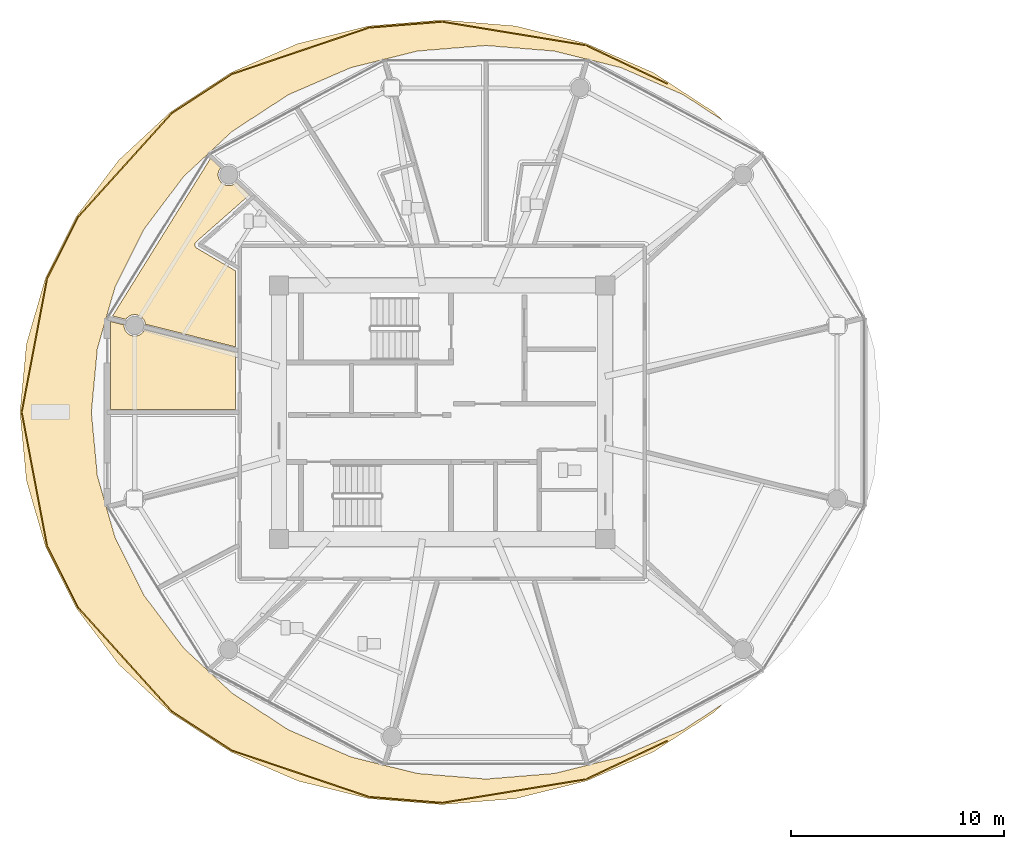
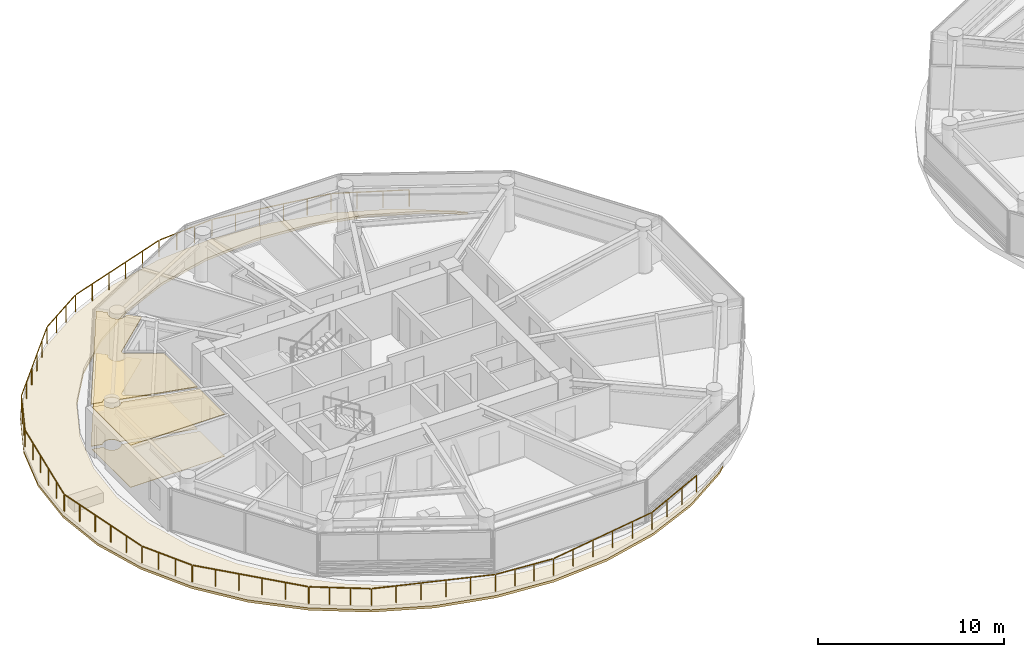
# One storey, part 23 of 32: 5 coverings, 1 railing.
"""IFC4 building model written with IfcOpenShell, lengths in metres."""

import ifcopenshell
import ifcopenshell.guid

model = None  # the IFC model being written
_history = None  # IfcOwnerHistory: only IFC2X3 demands one
_inside = {}  # id of a spatial element -> (the spatial element, [elements in it])
_under = {}  # id of a project, library or spatial element -> (it, [spatial elements below it])
_declared = {}  # id of a project -> (the project, [libraries it declares])
_typed = {}  # id of a type object -> (the type object, [elements of that type])
_made_of = {}  # id of a material, layer set ... -> (it, [elements and type objects made of it])


def new_model(schema):
    """Start an empty IFC model of exactly this schema.

    Asked for "IFC4X3", IfcOpenShell would pick the latest addendum, in which some entities
    have other attributes; the version numbers below select the first issue.
    IFC2X3 requires an IfcOwnerHistory on every rooted entity: one is made here for all.
    """
    global model, _history
    if schema == "IFC4X3":
        model = ifcopenshell.file(schema_version=(4, 3, 0, 0))
    else:
        model = ifcopenshell.file(schema=schema)
    _inside.clear()
    _under.clear()
    _declared.clear()
    _typed.clear()
    _made_of.clear()
    _history = None
    if model.schema == "IFC2X3":
        org = make("IfcOrganization", Name="unknown")
        user = make(
            "IfcPersonAndOrganization",
            ThePerson=make("IfcPerson", FamilyName="unknown"),
            TheOrganization=org,
        )
        app = make(
            "IfcApplication",
            ApplicationDeveloper=org,
            Version="unknown",
            ApplicationFullName="unknown",
            ApplicationIdentifier="unknown",
        )
        _history = make(
            "IfcOwnerHistory",
            OwningUser=user,
            OwningApplication=app,
            ChangeAction="ADDED",
            CreationDate=0,
        )
    return model


def make(cls, **values):
    """One entity of the class cls with the attributes given. An attribute that is None is left unset."""
    return model.create_entity(
        cls, **{name: value for name, value in values.items() if value is not None}
    )


def rooted(cls, **values):
    """An entity with a GlobalId (a new one), such as an element, a storey or a relation."""
    return make(cls, GlobalId=ifcopenshell.guid.new(), OwnerHistory=_history, **values)


def si_unit(unit_type, name, prefix=None):
    """IfcSIUnit, for example si_unit("LENGTHUNIT", "METRE", prefix="MILLI")."""
    return make("IfcSIUnit", UnitType=unit_type, Prefix=prefix, Name=name)


def assignment(units):
    """IfcUnitAssignment: the units of a project."""
    return None if units is None else make("IfcUnitAssignment", Units=units)


def point(xyz):
    """IfcCartesianPoint."""
    return None if xyz is None else make("IfcCartesianPoint", Coordinates=xyz)


def direction(xyz):
    """IfcDirection."""
    return None if xyz is None else make("IfcDirection", DirectionRatios=xyz)


def frame(location, z_axis=None, x_axis=None):
    """IfcAxis2Placement3D, a coordinate frame: its origin and axes. An axis left out is left unset."""
    return make(
        "IfcAxis2Placement3D",
        Location=point(location),
        Axis=direction(z_axis),
        RefDirection=direction(x_axis),
    )


def frame_2d(location, x_axis=None):
    """IfcAxis2Placement2D, a coordinate frame in the plane: its origin and x axis."""
    return make(
        "IfcAxis2Placement2D", Location=point(location), RefDirection=direction(x_axis)
    )


def origin():
    """The frame at (0, 0, 0) with its axes left unset."""
    return frame((0.0, 0.0, 0.0))


def origin_2d():
    """The frame at (0, 0) in the plane with its x axis left unset."""
    return frame_2d((0.0, 0.0))


def place(relative_to, where):
    """IfcLocalPlacement: puts the frame where relative to a parent placement (None: the world)."""
    return make(
        "IfcLocalPlacement", PlacementRelTo=relative_to, RelativePlacement=where
    )


def context(
    kind, dimensions, precision=None, world=None, true_north=None, identifier=None
):
    """IfcGeometricRepresentationContext, for example the 3D "Model" context."""
    return make(
        "IfcGeometricRepresentationContext",
        ContextIdentifier=identifier,
        ContextType=kind,
        CoordinateSpaceDimension=dimensions,
        Precision=precision,
        WorldCoordinateSystem=world,
        TrueNorth=true_north,
    )


def subcontext(parent, identifier, kind, view, scale=None):
    """IfcGeometricRepresentationSubContext, for example "Body" below "Model"."""
    return make(
        "IfcGeometricRepresentationSubContext",
        ContextIdentifier=identifier,
        ContextType=kind,
        ParentContext=parent,
        TargetScale=scale,
        TargetView=view,
    )


def project(units=None, contexts=None):
    """IfcProject with its units and contexts."""
    return rooted(
        "IfcProject",
        Name="project",
        RepresentationContexts=contexts,
        UnitsInContext=assignment(units),
    )


def spatial(cls, under=None, at=None, **own):
    """A site, building, storey or space (cls), placed at a placement, below another one or the project."""
    s = rooted(cls, ObjectPlacement=at, **own)
    if under is not None:
        _under.setdefault(under.id(), (under, []))[1].append(s)
    return s


def polyline(points):
    """IfcPolyline through the points."""
    return make("IfcPolyline", Points=[point(p) for p in points])


def profile(cls, at=None, kind="AREA", **sizes):
    """A parametric profile (cls). Its sizes go by their IFC names, for example OverallWidth=200.0."""
    return make(cls, ProfileType=kind, Position=at, **sizes)


def rectangle(**sizes):
    """IfcRectangleProfileDef."""
    return profile("IfcRectangleProfileDef", **sizes)


def outline(outer, holes=None, kind="AREA"):
    """IfcArbitraryClosedProfileDef: a profile drawn as a closed curve; with holes, ...WithVoids."""
    if holes is None:
        return make("IfcArbitraryClosedProfileDef", ProfileType=kind, OuterCurve=outer)
    return make(
        "IfcArbitraryProfileDefWithVoids",
        ProfileType=kind,
        OuterCurve=outer,
        InnerCurves=holes,
    )


def extrude(swept, where, along, depth):
    """IfcExtrudedAreaSolid: the profile swept, set in the frame where, extruded along a direction by depth."""
    return make(
        "IfcExtrudedAreaSolid",
        SweptArea=swept,
        Position=where,
        ExtrudedDirection=direction(along),
        Depth=depth,
    )


def shape(context_of_items, identifier, shape_type, items):
    """IfcShapeRepresentation: the items that make up one representation, for example the "Body"."""
    return make(
        "IfcShapeRepresentation",
        ContextOfItems=context_of_items,
        RepresentationIdentifier=identifier,
        RepresentationType=shape_type,
        Items=items,
    )


def material(Name=None, Category=None):
    """IfcMaterial."""
    return make("IfcMaterial", Name=Name, Category=Category)


def layer(
    of_material, thickness, ventilated=None, Name=None, Category=None, Priority=None
):
    """IfcMaterialLayer: one layer of a wall or slab, of a material (None: an air gap)."""
    return make(
        "IfcMaterialLayer",
        Material=of_material,
        LayerThickness=thickness,
        IsVentilated=ventilated,
        Name=Name,
        Category=Category,
        Priority=Priority,
    )


def layer_set(layers, Name=None):
    """IfcMaterialLayerSet."""
    return make("IfcMaterialLayerSet", MaterialLayers=layers, LayerSetName=Name)


def made_of(thing, what):
    """Note that an element or type object is made of a material, layer set ...; save() writes the relation."""
    if what is not None:
        _made_of.setdefault(what.id(), (what, []))[1].append(thing)
    return thing


def type_object(cls, material=None, **own):
    """A type object (cls), such as IfcWallType, which elements share."""
    return made_of(rooted(cls, **own), material)


def element(
    cls,
    number,
    at=None,
    inside=None,
    cuts=None,
    type_object=None,
    material=None,
    context=None,
    identifier="Body",
    shape_type=None,
    held_by="IfcProductDefinitionShape",
    body=None,
    shapes=None,
    **own,
):
    """One element of the class cls, such as IfcWall. Its Tag is "e" and its number.

    at: its placement. inside: the storey or other place that contains it. cuts: it is an
    opening in that element (IfcRelVoidsElement). A single representation is given by context,
    identifier, shape_type and body (its items); several are given by shapes. held_by: the class
    of the entity that holds the representations. save() writes the other relations.
    """
    e = rooted(cls, Tag="e%d" % number, ObjectPlacement=at, **own)
    if body is not None:
        shapes = [shape(context, identifier, shape_type, body)]
    if shapes is not None:
        e.Representation = make(held_by, Representations=shapes)
    if inside is not None:
        _inside.setdefault(inside.id(), (inside, []))[1].append(e)
    if cuts is not None:
        rooted(
            "IfcRelVoidsElement", RelatingBuildingElement=cuts, RelatedOpeningElement=e
        )
    if type_object is not None:
        _typed.setdefault(type_object.id(), (type_object, []))[1].append(e)
    return made_of(e, material)


def aggregate(whole, parts):
    """IfcRelAggregates: a whole, such as a stair, and the parts it consists of."""
    return rooted("IfcRelAggregates", RelatingObject=whole, RelatedObjects=parts)


def save(model, path):
    """Write the relations noted so far, then the file.

    IfcRelAggregates (storeys below a building ...), IfcRelContainedInSpatialStructure (elements
    in a storey), IfcRelDefinesByType, IfcRelAssociatesMaterial and IfcRelDeclares: one each for
    every whole, place, type object, material and project.
    """
    for whole, parts in _under.values():
        aggregate(whole, parts)
    for where, things in _inside.values():
        rooted(
            "IfcRelContainedInSpatialStructure",
            RelatedElements=things,
            RelatingStructure=where,
        )
    for kind, things in _typed.values():
        rooted("IfcRelDefinesByType", RelatedObjects=things, RelatingType=kind)
    for what, things in _made_of.values():
        rooted("IfcRelAssociatesMaterial", RelatedObjects=things, RelatingMaterial=what)
    for by, libraries in _declared.values():
        rooted("IfcRelDeclares", RelatingContext=by, RelatedDefinitions=libraries)
    model.write(path)


model = new_model("IFC4")

# Units and contexts
model_context = context("Model", 3, precision=1e-05, world=origin(), true_north=direction((0.0, 1.0)))
body_context = subcontext(model_context, "Body", "Model", "MODEL_VIEW")
ifc_project = project(units=[si_unit("LENGTHUNIT", "METRE"), si_unit("AREAUNIT", "SQUARE_METRE"), si_unit("VOLUMEUNIT", "CUBIC_METRE"), si_unit("PLANEANGLEUNIT", "RADIAN"), si_unit("MASSUNIT", "GRAM", prefix="KILO")], contexts=[model_context])

# Site, building, storey
site_placement = place(None, origin())
site = spatial("IfcSite", under=ifc_project, at=site_placement, CompositionType="ELEMENT")
building_placement = place(site_placement, origin())
building = spatial("IfcBuilding", under=site, at=building_placement, Name="Norrkilde Senior Care Towers", CompositionType="ELEMENT")
storey_placement = place(building_placement, frame((0.0, 0.0, 77.949951171875)))
storey = spatial("IfcBuildingStorey", under=building, at=storey_placement, Name="L23", CompositionType="ELEMENT", Elevation=77.949951171875)

# Coverings
ifc_material_1 = material(Name="Nordic Ash Timber", Category="wood")
ifc_layer_1 = layer(ifc_material_1, 0.044921875)
ifc_layer_set_1 = layer_set([ifc_layer_1], Name="Nordic Ash Timber")
covering_type_1 = type_object("IfcCoveringType", Name="Acoustic Ash Timber Slatted Ceiling 45", PredefinedType="CEILING", material=ifc_layer_set_1)
covering_1_placement = place(storey_placement, frame((0.0, 0.0, 2.7451171875)))
element("IfcCovering", 1, at=covering_1_placement, inside=storey, type_object=covering_type_1, Name="L23 Suspended Ceiling 0221", PredefinedType="CEILING", context=body_context, shape_type="SweptSolid", body=[
    extrude(outline(polyline([(-39.56005859375, 7.966796875), (-39.56396484375, 7.961181640625), (-39.5703125, 7.950927734375), (-39.573486328125, 7.94482421875), (-39.57861328125, 7.93408203125), (-39.58154296875, 7.927734375), (-39.58544921875, 7.91650390625), (-39.587646484375, 7.909912109375), (-39.590576171875, 7.8984375), (-39.592041015625, 7.8916015625), (-39.59375, 7.879638671875), (-39.594482421875, 7.872802734375), (-39.59521484375, 7.86083984375), (-39.59521484375, 7.853759765625), (-39.594482421875, 7.842041015625), (-39.593994140625, 7.8349609375), (-39.59228515625, 7.8232421875), (-39.5908203125, 7.81640625), (-39.587890625, 7.8046875), (-39.5859375, 7.798095703125), (-39.581787109375, 7.786865234375), (-39.5791015625, 7.780517578125), (-39.573974609375, 7.769775390625), (-39.57080078125, 7.763671875), (-39.564453125, 7.75341796875), (-39.560546875, 7.74755859375), (-39.553466796875, 7.738037109375), (-39.549072265625, 7.732666015625), (-39.541015625, 7.723876953125), (-39.535888671875, 7.718994140625), (-39.527099609375, 7.711181640625), (-39.521728515625, 7.706787109375), (-39.511962890625, 7.69970703125), (-39.506103515625, 7.69580078125), (-39.5009765625, 7.69287109375), (-37.699951171875, 6.64111328125), (-37.699951171875, 3.07080078125), (-41.921142578125, 4.129638671875), (-41.93115234375, 4.20703125), (-41.981689453125, 4.328857421875), (-42.06201171875, 4.43359375), (-42.16650390625, 4.513671875), (-42.288330078125, 4.564208984375), (-42.4189453125, 4.581298828125), (-42.5498046875, 4.564208984375), (-42.671630859375, 4.513671875), (-42.776123046875, 4.43359375), (-42.833740234375, 4.358642578125), (-43.45849609375, 4.515380859375), (-38.858154296875, 11.918701171875), (-38.38037109375, 11.4716796875), (-38.443603515625, 11.389404296875), (-38.493896484375, 11.267578125), (-38.51123046875, 11.136962890625), (-38.493896484375, 11.00634765625), (-38.443603515625, 10.884521484375), (-38.36328125, 10.77978515625), (-38.2587890625, 10.69970703125), (-38.136962890625, 10.649169921875), (-38.006103515625, 10.6318359375), (-37.87548828125, 10.649169921875), (-37.753662109375, 10.69970703125), (-37.649169921875, 10.77978515625), (-37.64599609375, 10.783935546875), (-37.02734375, 10.205078125), (-39.53076171875, 7.99951171875), (-39.53515625, 7.995361328125), (-39.540283203125, 7.990478515625), (-39.54833984375, 7.981689453125), (-39.552734375, 7.976318359375), (-39.56005859375, 7.966796875)])), origin(), (0.0, 0.0, 1.0), 0.044921875),
])
ifc_material_2 = material(Name="EPDM Waterproofing and PIR Insulation")
ifc_layer_2 = layer(ifc_material_2, 0.159912109375)
ifc_layer_set_2 = layer_set([ifc_layer_2], Name="EPDM Waterproofing and PIR Insulation")
covering_type_2 = type_object("IfcCoveringType", Name="Insulated EPDM Roof Membrane 160", PredefinedType="ROOFING", material=ifc_layer_set_2)
covering_2_placement = place(storey_placement, frame((0.0, 0.0, -0.389892578125)))
element("IfcCovering", 2, at=covering_2_placement, inside=storey, type_object=covering_type_2, Name="L23 Drum W Crescent Terrace Roof Membrane", PredefinedType="ROOFING", context=body_context, shape_type="SweptSolid", body=[
    extrude(outline(polyline([(-15.272705078125, -14.09521484375), (-18.10009765625, -15.934814453125), (-21.22802734375, -17.290283203125), (-24.561767578125, -18.120361328125), (-28.0, -18.39990234375), (-31.438232421875, -18.120361328125), (-34.77197265625, -17.290283203125), (-37.89990234375, -15.934814453125), (-40.727294921875, -14.09521484375), (-43.167724609375, -11.827392578125), (-45.147216796875, -9.199951171875), (-46.60595703125, -6.293212890625), (-47.499267578125, -3.195068359375), (-47.800048828125, 0.0), (-47.499267578125, 3.195068359375), (-46.60595703125, 6.293212890625), (-45.147216796875, 9.199951171875), (-43.167724609375, 11.827392578125), (-40.727294921875, 14.09521484375), (-37.89990234375, 15.934814453125), (-34.77197265625, 17.290283203125), (-31.438232421875, 18.120361328125), (-28.0, 18.39990234375), (-24.561767578125, 18.120361328125), (-21.22802734375, 17.290283203125), (-18.10009765625, 15.934814453125), (-15.272705078125, 14.09521484375), (-14.831787109375, 13.685302734375), (-16.697265625, 14.89990234375), (-16.69775390625, 14.900146484375), (-16.697998046875, 14.900146484375), (-19.62060546875, 16.167236328125), (-19.62109375, 16.16748046875), (-19.621337890625, 16.16748046875), (-22.736328125, 16.943603515625), (-22.73681640625, 16.943603515625), (-22.737060546875, 16.943603515625), (-25.94970703125, 17.205078125), (-25.949951171875, 17.205078125), (-25.950439453125, 17.205078125), (-29.162841796875, 16.943603515625), (-29.163330078125, 16.943603515625), (-29.163818359375, 16.943603515625), (-32.278564453125, 16.16748046875), (-32.279052734375, 16.16748046875), (-32.279296875, 16.167236328125), (-35.201904296875, 14.900146484375), (-35.202392578125, 14.900146484375), (-35.20263671875, 14.89990234375), (-37.84423828125, 13.18017578125), (-37.8447265625, 13.179931640625), (-37.844970703125, 13.1796875), (-40.125244140625, 11.0595703125), (-40.12548828125, 11.059326171875), (-40.125732421875, 11.058837890625), (-41.9755859375, 8.60302734375), (-41.975830078125, 8.6025390625), (-41.975830078125, 8.602294921875), (-43.3388671875, 5.885009765625), (-43.3388671875, 5.884521484375), (-43.339111328125, 5.884033203125), (-44.173828125, 2.988037109375), (-44.173828125, 2.98779296875), (-44.173828125, 2.9873046875), (-44.455078125, 0.00048828125), (-44.455078125, 0.0), (-44.455078125, -0.00048828125), (-44.173828125, -2.9873046875), (-44.173828125, -2.98779296875), (-44.173828125, -2.988037109375), (-43.339111328125, -5.884033203125), (-43.3388671875, -5.884521484375), (-43.3388671875, -5.885009765625), (-41.975830078125, -8.602294921875), (-41.975830078125, -8.6025390625), (-41.9755859375, -8.60302734375), (-40.125732421875, -11.058837890625), (-40.12548828125, -11.059326171875), (-40.125244140625, -11.0595703125), (-37.844970703125, -13.1796875), (-37.8447265625, -13.179931640625), (-37.84423828125, -13.18017578125), (-35.20263671875, -14.89990234375), (-35.202392578125, -14.900146484375), (-35.201904296875, -14.900146484375), (-32.279296875, -16.167236328125), (-32.279052734375, -16.16748046875), (-32.278564453125, -16.16748046875), (-29.163818359375, -16.943603515625), (-29.163330078125, -16.943603515625), (-29.162841796875, -16.943603515625), (-25.950439453125, -17.205078125), (-25.949951171875, -17.205078125), (-25.94970703125, -17.205078125), (-22.737060546875, -16.943603515625), (-22.73681640625, -16.943603515625), (-22.736328125, -16.943603515625), (-19.621337890625, -16.16748046875), (-19.62109375, -16.16748046875), (-19.62060546875, -16.167236328125), (-16.697998046875, -14.900146484375), (-16.69775390625, -14.900146484375), (-16.697265625, -14.89990234375), (-14.831787109375, -13.685302734375), (-15.272705078125, -14.09521484375)])), origin(), (0.0, 0.0, 1.0), 0.159912109375),
])
ifc_material_3 = material(Name="Gypsum Acoustic Board")
ifc_layer_3 = layer(ifc_material_3, 0.030029296875)
ifc_layer_set_3 = layer_set([ifc_layer_3], Name="Gypsum Acoustic Board")
covering_type_3 = type_object("IfcCoveringType", Name="Medical Cleanable Gypsum Ceiling 30", PredefinedType="CEILING", material=ifc_layer_set_3)
covering_3_placement = place(storey_placement, frame((0.0, 0.0, 2.760009765625)))
element("IfcCovering", 3, at=covering_3_placement, inside=storey, type_object=covering_type_3, Name="L23 Suspended Ceiling 0223", PredefinedType="CEILING", context=body_context, shape_type="SweptSolid", body=[
    extrude(outline(polyline([(-42.920654296875, 4.101318359375), (-42.924072265625, 4.076416015625), (-42.90673828125, 3.94580078125), (-42.8564453125, 3.823974609375), (-42.776123046875, 3.71923828125), (-42.671630859375, 3.63916015625), (-42.5498046875, 3.588623046875), (-42.4189453125, 3.5712890625), (-42.288330078125, 3.588623046875), (-42.16650390625, 3.63916015625), (-42.06201171875, 3.71923828125), (-41.981689453125, 3.823974609375), (-41.96533203125, 3.863525390625), (-37.699951171875, 2.80224609375), (-37.699951171875, 0.1201171875), (-43.545166015625, 0.1201171875), (-43.545166015625, 4.2568359375), (-42.920654296875, 4.101318359375)])), origin(), (0.0, 0.0, 1.0), 0.030029296875),
])
ifc_material_4 = material(Name="Slip-Resistant Porcelain Stone", Category="masonry")
ifc_layer_4 = layer(ifc_material_4, 0.02490234375)
ifc_layer_set_4 = layer_set([ifc_layer_4], Name="Slip-Resistant Porcelain Stone")
covering_type_4 = type_object("IfcCoveringType", Name="Slip-Resistant Porcelain Flooring 25", PredefinedType="FLOORING", material=ifc_layer_set_4)
covering_4_placement = place(storey_placement, origin())
element("IfcCovering", 4, at=covering_4_placement, inside=storey, type_object=covering_type_4, Name="L23 Floor Finish 0221", PredefinedType="FLOORING", context=body_context, shape_type="SweptSolid", body=[
    extrude(outline(polyline([(-39.56005859375, 7.966796875), (-39.56396484375, 7.961181640625), (-39.5703125, 7.950927734375), (-39.573486328125, 7.94482421875), (-39.57861328125, 7.93408203125), (-39.58154296875, 7.927734375), (-39.58544921875, 7.91650390625), (-39.587646484375, 7.909912109375), (-39.590576171875, 7.8984375), (-39.592041015625, 7.8916015625), (-39.59375, 7.879638671875), (-39.594482421875, 7.872802734375), (-39.59521484375, 7.86083984375), (-39.59521484375, 7.853759765625), (-39.594482421875, 7.842041015625), (-39.593994140625, 7.8349609375), (-39.59228515625, 7.8232421875), (-39.5908203125, 7.81640625), (-39.587890625, 7.8046875), (-39.5859375, 7.798095703125), (-39.581787109375, 7.786865234375), (-39.5791015625, 7.780517578125), (-39.573974609375, 7.769775390625), (-39.57080078125, 7.763671875), (-39.564453125, 7.75341796875), (-39.560546875, 7.74755859375), (-39.553466796875, 7.738037109375), (-39.549072265625, 7.732666015625), (-39.541015625, 7.723876953125), (-39.535888671875, 7.718994140625), (-39.527099609375, 7.711181640625), (-39.521728515625, 7.706787109375), (-39.511962890625, 7.69970703125), (-39.506103515625, 7.69580078125), (-39.5009765625, 7.69287109375), (-37.699951171875, 6.64111328125), (-37.699951171875, 3.07080078125), (-41.921142578125, 4.129638671875), (-41.93115234375, 4.20703125), (-41.981689453125, 4.328857421875), (-42.06201171875, 4.43359375), (-42.16650390625, 4.513671875), (-42.288330078125, 4.564208984375), (-42.4189453125, 4.581298828125), (-42.5498046875, 4.564208984375), (-42.671630859375, 4.513671875), (-42.776123046875, 4.43359375), (-42.833740234375, 4.358642578125), (-43.45849609375, 4.515380859375), (-38.858154296875, 11.918701171875), (-38.38037109375, 11.4716796875), (-38.443603515625, 11.389404296875), (-38.493896484375, 11.267578125), (-38.51123046875, 11.136962890625), (-38.493896484375, 11.00634765625), (-38.443603515625, 10.884521484375), (-38.36328125, 10.77978515625), (-38.2587890625, 10.69970703125), (-38.136962890625, 10.649169921875), (-38.006103515625, 10.6318359375), (-37.87548828125, 10.649169921875), (-37.753662109375, 10.69970703125), (-37.649169921875, 10.77978515625), (-37.64599609375, 10.783935546875), (-37.02734375, 10.205078125), (-39.53076171875, 7.99951171875), (-39.53515625, 7.995361328125), (-39.540283203125, 7.990478515625), (-39.54833984375, 7.981689453125), (-39.552734375, 7.976318359375), (-39.56005859375, 7.966796875)])), origin(), (0.0, 0.0, 1.0), 0.025146484375),
])
covering_5_placement = place(storey_placement, origin())
element("IfcCovering", 5, at=covering_5_placement, inside=storey, type_object=covering_type_4, Name="L23 Floor Finish 0223", PredefinedType="FLOORING", context=body_context, shape_type="SweptSolid", body=[
    extrude(outline(polyline([(-42.920654296875, 4.101318359375), (-42.924072265625, 4.076416015625), (-42.90673828125, 3.94580078125), (-42.8564453125, 3.823974609375), (-42.776123046875, 3.71923828125), (-42.671630859375, 3.63916015625), (-42.5498046875, 3.588623046875), (-42.4189453125, 3.5712890625), (-42.288330078125, 3.588623046875), (-42.16650390625, 3.63916015625), (-42.06201171875, 3.71923828125), (-41.981689453125, 3.823974609375), (-41.96533203125, 3.863525390625), (-37.699951171875, 2.80224609375), (-37.699951171875, 0.1201171875), (-43.545166015625, 0.1201171875), (-43.545166015625, 4.2568359375), (-42.920654296875, 4.101318359375)])), origin(), (0.0, 0.0, 1.0), 0.025146484375),
])

# Railing
ifc_material_5 = material(Name="Stainless Steel", Category="steel")
railing_type = type_object("IfcRailingType", Name="Stair and Terrace Guardrail 1100", PredefinedType="GUARDRAIL", material=ifc_material_5)
railing_placement = place(storey_placement, frame((-17.452392578125, -15.41796875, 0.0)))
element("IfcRailing", 6, at=railing_placement, inside=storey, type_object=railing_type, Name="L23 Perimeter Safety Guard 02", PredefinedType="GUARDRAIL", context=body_context, shape_type="SweptSolid", body=[
    extrude(rectangle(XDim=0.048095703125, YDim=0.048095703125, at=origin_2d()), frame((0.0, 0.0, 1.09619140625), z_axis=(-0.904125291498, -0.427267430626, 0.0), x_axis=(0.427267430626, -0.904125291498, 0.0)), (0.0, 0.0, 1.0), 4.16357421875),
    extrude(rectangle(XDim=0.048095703125, YDim=0.048095703125, at=origin_2d()), frame((-3.841552734375, -1.802978515625, 1.09619140625), z_axis=(-0.986839065181, -0.161705471253, 0.0), x_axis=(0.161705471253, -0.986839065181, 0.0)), (0.0, 0.0, 1.0), 6.754638671875),
    extrude(rectangle(XDim=0.048095703125, YDim=0.048095703125, at=origin_2d()), frame((-10.58837890625, -2.8984375, 1.09619140625), z_axis=(-0.996709376634, 0.081058118228, 0.0), x_axis=(-0.081058118228, -0.996709376634, 0.0)), (0.0, 0.0, 1.0), 3.354736328125),
    extrude(rectangle(XDim=0.048095703125, YDim=0.048095703125, at=origin_2d()), frame((-14.01171875, -2.610107421875, 1.09619140625), z_axis=(-0.947287286737, 0.320385387287, 0.0), x_axis=(-0.320385387287, -0.947287286737, 0.0)), (0.0, 0.0, 1.0), 6.713134765625),
    extrude(rectangle(XDim=0.048095703125, YDim=0.048095703125, at=origin_2d()), frame((-20.44384765625, -0.424072265625, 1.09619140625), z_axis=(-0.838159572297, 0.545425092352, 0.0), x_axis=(-0.545425092352, -0.838159572297, 0.0)), (0.0, 0.0, 1.0), 3.277587890625),
    extrude(rectangle(XDim=0.048095703125, YDim=0.048095703125, at=origin_2d()), frame((-23.252685546875, 1.416259765625, 1.09619140625), z_axis=(-0.670185869438, 0.742193303935, 0.0), x_axis=(-0.742193303935, -0.670185869438, 0.0)), (0.0, 0.0, 1.0), 6.485595703125),
    extrude(rectangle(XDim=0.048095703125, YDim=0.048095703125, at=origin_2d()), frame((-27.64501953125, 6.296875, 1.09619140625), z_axis=(-0.448449855027, 0.893807992539, 0.0), x_axis=(-0.893807992539, -0.448449855027, 0.0)), (0.0, 0.0, 1.0), 3.15576171875),
    extrude(rectangle(XDim=0.048095703125, YDim=0.048095703125, at=origin_2d()), frame((-29.086181640625, 9.1943359375, 1.09619140625), z_axis=(-0.186445175578, 0.982465366567, 0.0), x_axis=(-0.982465366567, -0.186445175578, 0.0)), (0.0, 0.0, 1.0), 6.2939453125),
    extrude(rectangle(XDim=0.048095703125, YDim=0.048095703125, at=origin_2d()), frame((-30.259765625, 15.458251953125, 1.09619140625), z_axis=(0.186445175578, 0.982465366567, 0.0), x_axis=(-0.982465366567, 0.186445175578, 0.0)), (0.0, 0.0, 1.0), 6.2939453125),
    extrude(rectangle(XDim=0.048095703125, YDim=0.048095703125, at=origin_2d()), frame((-29.060302734375, 21.718505859375, 1.09619140625), z_axis=(0.448449855027, 0.893807992539, 0.0), x_axis=(-0.893807992539, 0.448449855027, 0.0)), (0.0, 0.0, 1.0), 3.15576171875),
    extrude(rectangle(XDim=0.048095703125, YDim=0.048095703125, at=origin_2d()), frame((-27.599365234375, 24.60595703125, 1.09619140625), z_axis=(0.670185869438, 0.742193303935, 0.0), x_axis=(-0.742193303935, 0.670185869438, 0.0)), (0.0, 0.0, 1.0), 6.485595703125),
    extrude(rectangle(XDim=0.048095703125, YDim=0.048095703125, at=origin_2d()), frame((-23.191162109375, 29.47216796875, 1.09619140625), z_axis=(0.838159572297, 0.545425092352, 0.0), x_axis=(-0.545425092352, 0.838159572297, 0.0)), (0.0, 0.0, 1.0), 3.277587890625),
    extrude(rectangle(XDim=0.048095703125, YDim=0.048095703125, at=origin_2d()), frame((-20.370849609375, 31.29541015625, 1.09619140625), z_axis=(0.947287286737, 0.320385387287, 0.0), x_axis=(-0.320385387287, 0.947287286737, 0.0)), (0.0, 0.0, 1.0), 6.713134765625),
    extrude(rectangle(XDim=0.048095703125, YDim=0.048095703125, at=origin_2d()), frame((-13.93212890625, 33.462646484375, 1.09619140625), z_axis=(0.996709376634, 0.081058118228, 0.0), x_axis=(-0.081058118228, 0.996709376634, 0.0)), (0.0, 0.0, 1.0), 3.354736328125),
    extrude(rectangle(XDim=0.048095703125, YDim=0.048095703125, at=origin_2d()), frame((-10.50732421875, 33.731201171875, 1.09619140625), z_axis=(0.986839065181, -0.161705471253, 0.0), x_axis=(0.161705471253, 0.986839065181, 0.0)), (0.0, 0.0, 1.0), 6.754638671875),
    extrude(rectangle(XDim=0.048095703125, YDim=0.048095703125, at=origin_2d()), frame((-3.764404296875, 32.61474609375, 1.09619140625), z_axis=(0.904125291498, -0.427267430626, 0.0), x_axis=(0.427267430626, 0.904125291498, 0.0)), (0.0, 0.0, 1.0), 4.16357421875),
    extrude(rectangle(XDim=0.0419921875, YDim=0.0419921875, at=origin_2d()), origin(), (0.0, 0.0, 1.0), 1.070068359375),
    extrude(rectangle(XDim=0.0419921875, YDim=0.0419921875, at=origin_2d()), frame((-1.26708984375, -0.598876953125, 0.0)), (0.0, 0.0, 1.0), 1.070068359375),
    extrude(rectangle(XDim=0.0419921875, YDim=0.0419921875, at=origin_2d()), frame((-2.5341796875, -1.197509765625, 0.0)), (0.0, 0.0, 1.0), 1.070068359375),
    extrude(rectangle(XDim=0.0419921875, YDim=0.0419921875, at=origin_2d()), frame((-3.80126953125, -1.79638671875, 0.0)), (0.0, 0.0, 1.0), 1.070068359375),
    extrude(rectangle(XDim=0.0419921875, YDim=0.0419921875, at=origin_2d()), frame((-5.150634765625, -2.017578125, 0.0)), (0.0, 0.0, 1.0), 1.070068359375),
    extrude(rectangle(XDim=0.0419921875, YDim=0.0419921875, at=origin_2d()), frame((-6.499755859375, -2.238525390625, 0.0)), (0.0, 0.0, 1.0), 1.070068359375),
    extrude(rectangle(XDim=0.0419921875, YDim=0.0419921875, at=origin_2d()), frame((-7.84912109375, -2.459716796875, 0.0)), (0.0, 0.0, 1.0), 1.070068359375),
    extrude(rectangle(XDim=0.0419921875, YDim=0.0419921875, at=origin_2d()), frame((-9.1982421875, -2.6806640625, 0.0)), (0.0, 0.0, 1.0), 1.070068359375),
    extrude(rectangle(XDim=0.0419921875, YDim=0.0419921875, at=origin_2d()), frame((-10.547607421875, -2.90185546875, 0.0)), (0.0, 0.0, 1.0), 1.070068359375),
    extrude(rectangle(XDim=0.0419921875, YDim=0.0419921875, at=origin_2d()), frame((-11.689453125, -2.80908203125, 0.0)), (0.0, 0.0, 1.0), 1.070068359375),
    extrude(rectangle(XDim=0.0419921875, YDim=0.0419921875, at=origin_2d()), frame((-12.8310546875, -2.716064453125, 0.0)), (0.0, 0.0, 1.0), 1.070068359375),
    extrude(rectangle(XDim=0.0419921875, YDim=0.0419921875, at=origin_2d()), frame((-13.972900390625, -2.623291015625, 0.0)), (0.0, 0.0, 1.0), 1.070068359375),
    extrude(rectangle(XDim=0.0419921875, YDim=0.0419921875, at=origin_2d()), frame((-15.26025390625, -2.18798828125, 0.0)), (0.0, 0.0, 1.0), 1.070068359375),
    extrude(rectangle(XDim=0.0419921875, YDim=0.0419921875, at=origin_2d()), frame((-16.547607421875, -1.75244140625, 0.0)), (0.0, 0.0, 1.0), 1.070068359375),
    extrude(rectangle(XDim=0.0419921875, YDim=0.0419921875, at=origin_2d()), frame((-17.8349609375, -1.317138671875, 0.0)), (0.0, 0.0, 1.0), 1.070068359375),
    extrude(rectangle(XDim=0.0419921875, YDim=0.0419921875, at=origin_2d()), frame((-19.122314453125, -0.881591796875, 0.0)), (0.0, 0.0, 1.0), 1.070068359375),
    extrude(rectangle(XDim=0.0419921875, YDim=0.0419921875, at=origin_2d()), frame((-20.40966796875, -0.4462890625, 0.0)), (0.0, 0.0, 1.0), 1.070068359375),
    extrude(rectangle(XDim=0.0419921875, YDim=0.0419921875, at=origin_2d()), frame((-21.34814453125, 0.16455078125, 0.0)), (0.0, 0.0, 1.0), 1.070068359375),
    extrude(rectangle(XDim=0.0419921875, YDim=0.0419921875, at=origin_2d()), frame((-22.286865234375, 0.775146484375, 0.0)), (0.0, 0.0, 1.0), 1.070068359375),
    extrude(rectangle(XDim=0.0419921875, YDim=0.0419921875, at=origin_2d()), frame((-23.225341796875, 1.385986328125, 0.0)), (0.0, 0.0, 1.0), 1.070068359375),
    extrude(rectangle(XDim=0.0419921875, YDim=0.0419921875, at=origin_2d()), frame((-24.105712890625, 2.36083984375, 0.0)), (0.0, 0.0, 1.0), 1.070068359375),
    extrude(rectangle(XDim=0.0419921875, YDim=0.0419921875, at=origin_2d()), frame((-24.98583984375, 3.335693359375, 0.0)), (0.0, 0.0, 1.0), 1.070068359375),
    extrude(rectangle(XDim=0.0419921875, YDim=0.0419921875, at=origin_2d()), frame((-25.8662109375, 4.310546875, 0.0)), (0.0, 0.0, 1.0), 1.070068359375),
    extrude(rectangle(XDim=0.0419921875, YDim=0.0419921875, at=origin_2d()), frame((-26.746337890625, 5.285400390625, 0.0)), (0.0, 0.0, 1.0), 1.070068359375),
    extrude(rectangle(XDim=0.0419921875, YDim=0.0419921875, at=origin_2d()), frame((-27.626708984375, 6.26025390625, 0.0)), (0.0, 0.0, 1.0), 1.070068359375),
    extrude(rectangle(XDim=0.0419921875, YDim=0.0419921875, at=origin_2d()), frame((-28.110595703125, 7.224853515625, 0.0)), (0.0, 0.0, 1.0), 1.070068359375),
    extrude(rectangle(XDim=0.0419921875, YDim=0.0419921875, at=origin_2d()), frame((-28.5947265625, 8.189453125, 0.0)), (0.0, 0.0, 1.0), 1.070068359375),
    extrude(rectangle(XDim=0.0419921875, YDim=0.0419921875, at=origin_2d()), frame((-29.07861328125, 9.154052734375, 0.0)), (0.0, 0.0, 1.0), 1.070068359375),
    extrude(rectangle(XDim=0.0419921875, YDim=0.0419921875, at=origin_2d()), frame((-29.31640625, 10.40673828125, 0.0)), (0.0, 0.0, 1.0), 1.070068359375),
    extrude(rectangle(XDim=0.0419921875, YDim=0.0419921875, at=origin_2d()), frame((-29.55419921875, 11.65966796875, 0.0)), (0.0, 0.0, 1.0), 1.070068359375),
    extrude(rectangle(XDim=0.0419921875, YDim=0.0419921875, at=origin_2d()), frame((-29.791748046875, 12.912353515625, 0.0)), (0.0, 0.0, 1.0), 1.070068359375),
    extrude(rectangle(XDim=0.0419921875, YDim=0.0419921875, at=origin_2d()), frame((-30.029541015625, 14.165283203125, 0.0)), (0.0, 0.0, 1.0), 1.070068359375),
    extrude(rectangle(XDim=0.0419921875, YDim=0.0419921875, at=origin_2d()), frame((-30.267333984375, 15.41796875, 0.0)), (0.0, 0.0, 1.0), 1.070068359375),
    extrude(rectangle(XDim=0.0419921875, YDim=0.0419921875, at=origin_2d()), frame((-30.029541015625, 16.670654296875, 0.0)), (0.0, 0.0, 1.0), 1.070068359375),
    extrude(rectangle(XDim=0.0419921875, YDim=0.0419921875, at=origin_2d()), frame((-29.791748046875, 17.923583984375, 0.0)), (0.0, 0.0, 1.0), 1.070068359375),
    extrude(rectangle(XDim=0.0419921875, YDim=0.0419921875, at=origin_2d()), frame((-29.55419921875, 19.17626953125, 0.0)), (0.0, 0.0, 1.0), 1.070068359375),
    extrude(rectangle(XDim=0.0419921875, YDim=0.0419921875, at=origin_2d()), frame((-29.31640625, 20.42919921875, 0.0)), (0.0, 0.0, 1.0), 1.070068359375),
    extrude(rectangle(XDim=0.0419921875, YDim=0.0419921875, at=origin_2d()), frame((-29.07861328125, 21.681884765625, 0.0)), (0.0, 0.0, 1.0), 1.070068359375),
    extrude(rectangle(XDim=0.0419921875, YDim=0.0419921875, at=origin_2d()), frame((-28.5947265625, 22.646484375, 0.0)), (0.0, 0.0, 1.0), 1.070068359375),
    extrude(rectangle(XDim=0.0419921875, YDim=0.0419921875, at=origin_2d()), frame((-28.110595703125, 23.611083984375, 0.0)), (0.0, 0.0, 1.0), 1.070068359375),
    extrude(rectangle(XDim=0.0419921875, YDim=0.0419921875, at=origin_2d()), frame((-27.626708984375, 24.57568359375, 0.0)), (0.0, 0.0, 1.0), 1.070068359375),
    extrude(rectangle(XDim=0.0419921875, YDim=0.0419921875, at=origin_2d()), frame((-26.746337890625, 25.550537109375, 0.0)), (0.0, 0.0, 1.0), 1.070068359375),
    extrude(rectangle(XDim=0.0419921875, YDim=0.0419921875, at=origin_2d()), frame((-25.8662109375, 26.525390625, 0.0)), (0.0, 0.0, 1.0), 1.070068359375),
    extrude(rectangle(XDim=0.0419921875, YDim=0.0419921875, at=origin_2d()), frame((-24.98583984375, 27.500244140625, 0.0)), (0.0, 0.0, 1.0), 1.070068359375),
    extrude(rectangle(XDim=0.0419921875, YDim=0.0419921875, at=origin_2d()), frame((-24.105712890625, 28.47509765625, 0.0)), (0.0, 0.0, 1.0), 1.070068359375),
    extrude(rectangle(XDim=0.0419921875, YDim=0.0419921875, at=origin_2d()), frame((-23.225341796875, 29.449951171875, 0.0)), (0.0, 0.0, 1.0), 1.070068359375),
    extrude(rectangle(XDim=0.0419921875, YDim=0.0419921875, at=origin_2d()), frame((-22.286865234375, 30.060791015625, 0.0)), (0.0, 0.0, 1.0), 1.070068359375),
    extrude(rectangle(XDim=0.0419921875, YDim=0.0419921875, at=origin_2d()), frame((-21.34814453125, 30.67138671875, 0.0)), (0.0, 0.0, 1.0), 1.070068359375),
    extrude(rectangle(XDim=0.0419921875, YDim=0.0419921875, at=origin_2d()), frame((-20.40966796875, 31.2822265625, 0.0)), (0.0, 0.0, 1.0), 1.070068359375),
    extrude(rectangle(XDim=0.0419921875, YDim=0.0419921875, at=origin_2d()), frame((-19.122314453125, 31.717529296875, 0.0)), (0.0, 0.0, 1.0), 1.070068359375),
    extrude(rectangle(XDim=0.0419921875, YDim=0.0419921875, at=origin_2d()), frame((-17.8349609375, 32.153076171875, 0.0)), (0.0, 0.0, 1.0), 1.070068359375),
    extrude(rectangle(XDim=0.0419921875, YDim=0.0419921875, at=origin_2d()), frame((-16.547607421875, 32.58837890625, 0.0)), (0.0, 0.0, 1.0), 1.070068359375),
    extrude(rectangle(XDim=0.0419921875, YDim=0.0419921875, at=origin_2d()), frame((-15.26025390625, 33.02392578125, 0.0)), (0.0, 0.0, 1.0), 1.070068359375),
    extrude(rectangle(XDim=0.0419921875, YDim=0.0419921875, at=origin_2d()), frame((-13.972900390625, 33.459228515625, 0.0)), (0.0, 0.0, 1.0), 1.070068359375),
    extrude(rectangle(XDim=0.0419921875, YDim=0.0419921875, at=origin_2d()), frame((-12.8310546875, 33.552001953125, 0.0)), (0.0, 0.0, 1.0), 1.070068359375),
    extrude(rectangle(XDim=0.0419921875, YDim=0.0419921875, at=origin_2d()), frame((-11.689453125, 33.64501953125, 0.0)), (0.0, 0.0, 1.0), 1.070068359375),
    extrude(rectangle(XDim=0.0419921875, YDim=0.0419921875, at=origin_2d()), frame((-10.547607421875, 33.73779296875, 0.0)), (0.0, 0.0, 1.0), 1.070068359375),
    extrude(rectangle(XDim=0.0419921875, YDim=0.0419921875, at=origin_2d()), frame((-9.1982421875, 33.5166015625, 0.0)), (0.0, 0.0, 1.0), 1.070068359375),
    extrude(rectangle(XDim=0.0419921875, YDim=0.0419921875, at=origin_2d()), frame((-7.84912109375, 33.295654296875, 0.0)), (0.0, 0.0, 1.0), 1.070068359375),
    extrude(rectangle(XDim=0.0419921875, YDim=0.0419921875, at=origin_2d()), frame((-6.499755859375, 33.074462890625, 0.0)), (0.0, 0.0, 1.0), 1.070068359375),
    extrude(rectangle(XDim=0.0419921875, YDim=0.0419921875, at=origin_2d()), frame((-5.150634765625, 32.853515625, 0.0)), (0.0, 0.0, 1.0), 1.070068359375),
    extrude(rectangle(XDim=0.0419921875, YDim=0.0419921875, at=origin_2d()), frame((-3.80126953125, 32.63232421875, 0.0)), (0.0, 0.0, 1.0), 1.070068359375),
    extrude(rectangle(XDim=0.0419921875, YDim=0.0419921875, at=origin_2d()), frame((-2.5341796875, 32.033447265625, 0.0)), (0.0, 0.0, 1.0), 1.070068359375),
    extrude(rectangle(XDim=0.0419921875, YDim=0.0419921875, at=origin_2d()), frame((-1.26708984375, 31.434814453125, 0.0)), (0.0, 0.0, 1.0), 1.070068359375),
    extrude(rectangle(XDim=0.0419921875, YDim=0.0419921875, at=origin_2d()), frame((0.0, 30.8359375, 0.0)), (0.0, 0.0, 1.0), 1.070068359375),
])

save(model, "model.ifc")
